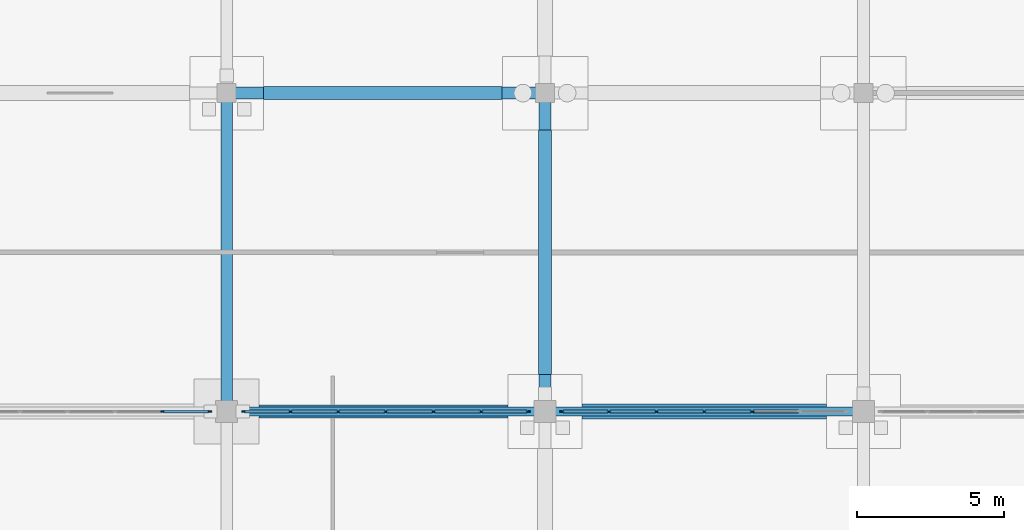
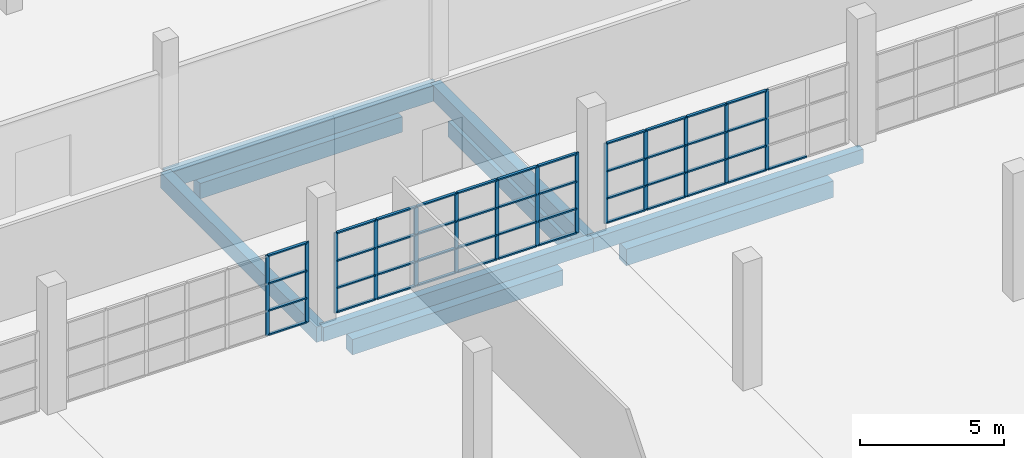
# One storey, part 56 of 138: 59 members, 9 beams, 3 elements without a shape of their own.
"""IFC4 building model written with IfcOpenShell, lengths in metres."""

from ifc_helpers import new_model, si_unit, direction, frame, origin, origin_2d, place, context, subcontext, project, spatial, rectangle, extrude, material, material_profile, profile_set, type_object, element, aggregate, save


model = new_model("IFC4")

# Units and contexts
model_context = context("Model", 3, precision=1e-05, world=origin(), true_north=direction((0.0, 1.0)))
body_context = subcontext(model_context, "Body", "Model", "MODEL_VIEW")
ifc_project = project(units=[si_unit("LENGTHUNIT", "METRE"), si_unit("AREAUNIT", "SQUARE_METRE"), si_unit("VOLUMEUNIT", "CUBIC_METRE"), si_unit("PLANEANGLEUNIT", "RADIAN"), si_unit("MASSUNIT", "GRAM", prefix="KILO")], contexts=[model_context])

# Site, building, storey
site_placement = place(None, origin())
site = spatial("IfcSite", under=ifc_project, at=site_placement, CompositionType="ELEMENT")
building_placement = place(site_placement, origin())
building = spatial("IfcBuilding", under=site, at=building_placement, Name="Zwinboog Wholesale Market", CompositionType="ELEMENT")
storey_placement = place(building_placement, origin())
storey = spatial("IfcBuildingStorey", under=building, at=storey_placement, Name="L00", CompositionType="ELEMENT", Elevation=0.0)

# Beams
ifc_material_1 = material(Name="Precast concrete C45/55", Category="concrete")
ifc_material_profile_1 = material_profile(ifc_material_1, rectangle(XDim=0.39990234375, YDim=0.64990234375, at=origin_2d()), Name="PC 400x650")
ifc_profile_set_1 = profile_set([ifc_material_profile_1], Name="Precast concrete C45/55")
beam_type_1 = type_object("IfcBeamType", Name="BT-05", PredefinedType="BEAM", material=ifc_profile_set_1)
for number, where, z_axis, x_axis, name in (
    (1, (97.199951171875, 108.0, -0.675048828125), (1.0, 0.0, 0.0), (0.0, 1.0, 0.0), "BG-05 (BMG-L00-0972-1080-0160)"),
    (2, (97.199951171875, 97.199951171875, -0.675048828125), (0.0, 1.0, 0.0), (-1.0, 0.0, 0.0), "BG-05 (BMG-L00-0972-0972-0306)"),
    (3, (108.0, 97.199951171875, -0.675048828125), (0.0, 1.0, 0.0), (-1.0, 0.0, 0.0), "BG-05 (BMG-L00-1080-0972-0316)"),
):
    element("IfcBeam", number, at=place(storey_placement, frame(where, z_axis=z_axis, x_axis=x_axis)), inside=storey, type_object=beam_type_1, Name=name, PredefinedType="BEAM", context=body_context, shape_type="SweptSolid", body=[
        extrude(rectangle(XDim=0.39990234375, YDim=0.64990234375, at=origin_2d()), origin(), (0.0, 0.0, 1.0), 10.800048828125),
    ])
ifc_material_profile_2 = material_profile(ifc_material_1, rectangle(XDim=0.300048828125, YDim=0.60009765625, at=origin_2d()), Name="PC 300x600")
ifc_profile_set_2 = profile_set([ifc_material_profile_2], Name="Precast concrete C45/55")
beam_type_2 = type_object("IfcBeamType", Name="BT-09", PredefinedType="SPANDREL", material=ifc_profile_set_2)
for number, where, z_axis, x_axis, name in (
    (4, (97.199951171875, 97.199951171875, -0.64990234375), (1.0, 0.0, 0.0), (0.0, 1.0, 0.0), "SP-02 (BMG-L00-0972-0972-0140)"),
    (5, (108.0, 97.199951171875, -0.64990234375), (1.0, 0.0, 0.0), (0.0, 1.0, 0.0), "SP-02 (BMG-L00-1080-0972-0141)"),
):
    element("IfcBeam", number, at=place(storey_placement, frame(where, z_axis=z_axis, x_axis=x_axis)), inside=storey, type_object=beam_type_2, Name=name, PredefinedType="SPANDREL", context=body_context, shape_type="SweptSolid", body=[
        extrude(rectangle(XDim=0.300048828125, YDim=0.60009765625, at=origin_2d()), origin(), (0.0, 0.0, 1.0), 10.800048828125),
    ])
ifc_material_2 = material(Name="Concrete C35/45", Category="concrete")
ifc_material_profile_3 = material_profile(ifc_material_2, rectangle(XDim=0.5, YDim=0.699951171875, at=origin_2d()), Name="RC 500x700")
ifc_profile_set_3 = profile_set([ifc_material_profile_3], Name="Concrete C35/45")
beam_type_3 = type_object("IfcBeamType", Name="BT-12", PredefinedType="USERDEFINED", material=ifc_profile_set_3)
beam_1_placement = place(storey_placement, frame((109.2548828125, 97.199951171875, -1.550048828125), z_axis=(1.0, 0.0, 0.0), x_axis=(0.0, 1.0, 0.0)))
element("IfcBeam", 6, at=beam_1_placement, inside=storey, type_object=beam_type_3, Name="GB-01 (BM-GB-0077)", ObjectType="GROUND_BEAM", PredefinedType="USERDEFINED", context=body_context, shape_type="SweptSolid", body=[
    extrude(rectangle(XDim=0.5, YDim=0.699951171875, at=origin_2d()), origin(), (0.0, 0.0, 1.0), 8.2900390625),
])
ifc_material_profile_4 = material_profile(ifc_material_2, rectangle(XDim=0.449951171875, YDim=0.64990234375, at=origin_2d()), Name="RC 450x650")
ifc_profile_set_4 = profile_set([ifc_material_profile_4], Name="Concrete C35/45")
beam_type_4 = type_object("IfcBeamType", Name="BT-13", PredefinedType="USERDEFINED", material=ifc_profile_set_4)
beam_2_placement = place(storey_placement, frame((98.304931640625, 97.199951171875, -1.52490234375), z_axis=(1.0, 0.0, 0.0), x_axis=(0.0, 1.0, 0.0)))
element("IfcBeam", 7, at=beam_2_placement, inside=storey, type_object=beam_type_4, Name="GB-02 (BM-GB-0076)", ObjectType="GROUND_BEAM", PredefinedType="USERDEFINED", context=body_context, shape_type="SweptSolid", body=[
    extrude(rectangle(XDim=0.449951171875, YDim=0.64990234375, at=origin_2d()), origin(), (0.0, 0.0, 1.0), 8.440185546875),
])
beam_3_placement = place(storey_placement, frame((98.455078125, 108.0, -1.52490234375), z_axis=(1.0, 0.0, 0.0), x_axis=(0.0, 1.0, 0.0)))
element("IfcBeam", 8, at=beam_3_placement, inside=storey, type_object=beam_type_4, Name="GB-02 (BM-GB-0096)", ObjectType="GROUND_BEAM", PredefinedType="USERDEFINED", context=body_context, shape_type="SweptSolid", body=[
    extrude(rectangle(XDim=0.449951171875, YDim=0.64990234375, at=origin_2d()), origin(), (0.0, 0.0, 1.0), 8.08984375),
])
beam_4_placement = place(storey_placement, frame((108.0, 98.455078125, -1.52490234375), z_axis=(0.0, 1.0, 0.0), x_axis=(-1.0, 0.0, 0.0)))
element("IfcBeam", 9, at=beam_4_placement, inside=storey, type_object=beam_type_4, Name="GB-02 (BM-GB-0169)", ObjectType="GROUND_BEAM", PredefinedType="USERDEFINED", context=body_context, shape_type="SweptSolid", body=[
    extrude(rectangle(XDim=0.449951171875, YDim=0.64990234375, at=origin_2d()), origin(), (0.0, 0.0, 1.0), 8.2900390625),
])

# Curtain wall, members
ifc_material_3 = material(Name="Aluminium thermally broken curtain wall", Category="aluminium")
curtain_wall_type = type_object("IfcCurtainWallType", Name="CWT-INT-STALL", PredefinedType="USERDEFINED", material=ifc_material_3)
curtain_wall_1_placement = place(storey_placement, origin())
curtain_wall_1 = element("IfcCurtainWall", 10, at=curtain_wall_1_placement, inside=storey, type_object=curtain_wall_type, Name="CW-07 (CW-STL-201)", ObjectType="STOREFRONT_GLAZING", PredefinedType="USERDEFINED")
ifc_material_4 = material(Name="Aluminium EN AW-6060", Category="aluminium")
ifc_material_profile_5 = material_profile(ifc_material_4, rectangle(XDim=0.06005859375, YDim=0.14990234375, at=origin_2d()), Name="AL 60x150")
ifc_profile_set_5 = profile_set([ifc_material_profile_5], Name="Aluminium EN AW-6060")
member_type_1 = type_object("IfcMemberType", Name="CWM-INT-60x120", PredefinedType="MULLION", material=ifc_profile_set_5)
member_1_placement = place(storey_placement, frame((95.033447265625, 97.199951171875, 0.0), z_axis=(0.0, 0.0, 1.0), x_axis=(0.0, 1.0, 0.0)))
member_1 = element("IfcMember", 11, at=member_1_placement, type_object=member_type_1, Name="CW-07 mullion 6", PredefinedType="MULLION", context=body_context, shape_type="SweptSolid", body=[
    extrude(rectangle(XDim=0.06005859375, YDim=0.14990234375, at=origin_2d()), origin(), (0.0, 0.0, 1.0), 3.39990234375),
])
member_2_placement = place(storey_placement, frame((96.6201171875, 97.199951171875, 0.0), z_axis=(0.0, 0.0, 1.0), x_axis=(0.0, 1.0, 0.0)))
member_2 = element("IfcMember", 12, at=member_2_placement, type_object=member_type_1, Name="CW-07 mullion 7", PredefinedType="MULLION", context=body_context, shape_type="SweptSolid", body=[
    extrude(rectangle(XDim=0.06005859375, YDim=0.14990234375, at=origin_2d()), origin(), (0.0, 0.0, 1.0), 3.39990234375),
])

curtain_wall_2_placement = place(storey_placement, origin())
curtain_wall_2 = element("IfcCurtainWall", 13, at=curtain_wall_2_placement, inside=storey, type_object=curtain_wall_type, Name="CW-07 (CW-STL-202)", ObjectType="STOREFRONT_GLAZING", PredefinedType="USERDEFINED")
member_3_placement = place(storey_placement, frame((97.780029296875, 97.199951171875, 0.0), z_axis=(0.0, 0.0, 1.0), x_axis=(0.0, 1.0, 0.0)))
member_3 = element("IfcMember", 14, at=member_3_placement, type_object=member_type_1, Name="CW-07 mullion 1", PredefinedType="MULLION", context=body_context, shape_type="SweptSolid", body=[
    extrude(rectangle(XDim=0.06005859375, YDim=0.14990234375, at=origin_2d()), origin(), (0.0, 0.0, 1.0), 3.39990234375),
])
member_4_placement = place(storey_placement, frame((99.36669921875, 97.199951171875, 0.0), z_axis=(0.0, 0.0, 1.0), x_axis=(0.0, 1.0, 0.0)))
member_4 = element("IfcMember", 15, at=member_4_placement, type_object=member_type_1, Name="CW-07 mullion 2", PredefinedType="MULLION", context=body_context, shape_type="SweptSolid", body=[
    extrude(rectangle(XDim=0.06005859375, YDim=0.14990234375, at=origin_2d()), origin(), (0.0, 0.0, 1.0), 3.39990234375),
])
member_5_placement = place(storey_placement, frame((100.9833984375, 97.199951171875, 0.0), z_axis=(0.0, 0.0, 1.0), x_axis=(0.0, 1.0, 0.0)))
member_5 = element("IfcMember", 16, at=member_5_placement, type_object=member_type_1, Name="CW-07 mullion 3", PredefinedType="MULLION", context=body_context, shape_type="SweptSolid", body=[
    extrude(rectangle(XDim=0.06005859375, YDim=0.14990234375, at=origin_2d()), origin(), (0.0, 0.0, 1.0), 3.39990234375),
])
member_6_placement = place(storey_placement, frame((102.60009765625, 97.199951171875, 0.0), z_axis=(0.0, 0.0, 1.0), x_axis=(0.0, 1.0, 0.0)))
member_6 = element("IfcMember", 17, at=member_6_placement, type_object=member_type_1, Name="CW-07 mullion 4", PredefinedType="MULLION", context=body_context, shape_type="SweptSolid", body=[
    extrude(rectangle(XDim=0.06005859375, YDim=0.14990234375, at=origin_2d()), origin(), (0.0, 0.0, 1.0), 3.39990234375),
])
member_7_placement = place(storey_placement, frame((104.216552734375, 97.199951171875, 0.0), z_axis=(0.0, 0.0, 1.0), x_axis=(0.0, 1.0, 0.0)))
member_7 = element("IfcMember", 18, at=member_7_placement, type_object=member_type_1, Name="CW-07 mullion 5", PredefinedType="MULLION", context=body_context, shape_type="SweptSolid", body=[
    extrude(rectangle(XDim=0.06005859375, YDim=0.14990234375, at=origin_2d()), origin(), (0.0, 0.0, 1.0), 3.39990234375),
])
member_8_placement = place(storey_placement, frame((105.833251953125, 97.199951171875, 0.0), z_axis=(0.0, 0.0, 1.0), x_axis=(0.0, 1.0, 0.0)))
member_8 = element("IfcMember", 19, at=member_8_placement, type_object=member_type_1, Name="CW-07 mullion 6", PredefinedType="MULLION", context=body_context, shape_type="SweptSolid", body=[
    extrude(rectangle(XDim=0.06005859375, YDim=0.14990234375, at=origin_2d()), origin(), (0.0, 0.0, 1.0), 3.39990234375),
])
member_9_placement = place(storey_placement, frame((107.419921875, 97.199951171875, 0.0), z_axis=(0.0, 0.0, 1.0), x_axis=(0.0, 1.0, 0.0)))
member_9 = element("IfcMember", 20, at=member_9_placement, type_object=member_type_1, Name="CW-07 mullion 7", PredefinedType="MULLION", context=body_context, shape_type="SweptSolid", body=[
    extrude(rectangle(XDim=0.06005859375, YDim=0.14990234375, at=origin_2d()), origin(), (0.0, 0.0, 1.0), 3.39990234375),
])

curtain_wall_3_placement = place(storey_placement, origin())
curtain_wall_3 = element("IfcCurtainWall", 21, at=curtain_wall_3_placement, inside=storey, type_object=curtain_wall_type, Name="CW-07 (CW-STL-203)", ObjectType="STOREFRONT_GLAZING", PredefinedType="USERDEFINED")
member_10_placement = place(storey_placement, frame((108.580078125, 97.199951171875, 0.0), z_axis=(0.0, 0.0, 1.0), x_axis=(0.0, 1.0, 0.0)))
member_10 = element("IfcMember", 22, at=member_10_placement, type_object=member_type_1, Name="CW-07 mullion 1", PredefinedType="MULLION", context=body_context, shape_type="SweptSolid", body=[
    extrude(rectangle(XDim=0.06005859375, YDim=0.14990234375, at=origin_2d()), origin(), (0.0, 0.0, 1.0), 3.39990234375),
])
member_11_placement = place(storey_placement, frame((110.166748046875, 97.199951171875, 0.0), z_axis=(0.0, 0.0, 1.0), x_axis=(0.0, 1.0, 0.0)))
member_11 = element("IfcMember", 23, at=member_11_placement, type_object=member_type_1, Name="CW-07 mullion 2", PredefinedType="MULLION", context=body_context, shape_type="SweptSolid", body=[
    extrude(rectangle(XDim=0.06005859375, YDim=0.14990234375, at=origin_2d()), origin(), (0.0, 0.0, 1.0), 3.39990234375),
])
member_12_placement = place(storey_placement, frame((111.783447265625, 97.199951171875, 0.0), z_axis=(0.0, 0.0, 1.0), x_axis=(0.0, 1.0, 0.0)))
member_12 = element("IfcMember", 24, at=member_12_placement, type_object=member_type_1, Name="CW-07 mullion 3", PredefinedType="MULLION", context=body_context, shape_type="SweptSolid", body=[
    extrude(rectangle(XDim=0.06005859375, YDim=0.14990234375, at=origin_2d()), origin(), (0.0, 0.0, 1.0), 3.39990234375),
])
member_13_placement = place(storey_placement, frame((113.39990234375, 97.199951171875, 0.0), z_axis=(0.0, 0.0, 1.0), x_axis=(0.0, 1.0, 0.0)))
member_13 = element("IfcMember", 25, at=member_13_placement, type_object=member_type_1, Name="CW-07 mullion 4", PredefinedType="MULLION", context=body_context, shape_type="SweptSolid", body=[
    extrude(rectangle(XDim=0.06005859375, YDim=0.14990234375, at=origin_2d()), origin(), (0.0, 0.0, 1.0), 3.39990234375),
])
member_14_placement = place(storey_placement, frame((115.0166015625, 97.199951171875, 0.0), z_axis=(0.0, 0.0, 1.0), x_axis=(0.0, 1.0, 0.0)))
member_14 = element("IfcMember", 26, at=member_14_placement, type_object=member_type_1, Name="CW-07 mullion 5", PredefinedType="MULLION", context=body_context, shape_type="SweptSolid", body=[
    extrude(rectangle(XDim=0.06005859375, YDim=0.14990234375, at=origin_2d()), origin(), (0.0, 0.0, 1.0), 3.39990234375),
])

# Member
ifc_material_profile_6 = material_profile(ifc_material_4, rectangle(XDim=0.110107421875, YDim=0.06005859375, at=origin_2d()), Name="AL 60x110")
ifc_profile_set_6 = profile_set([ifc_material_profile_6], Name="Aluminium EN AW-6060")
member_type_2 = type_object("IfcMemberType", Name="CWT-INT-60x100", PredefinedType="USERDEFINED", material=ifc_profile_set_6)
member_15_placement = place(storey_placement, frame((95.063232421875, 97.199951171875, 0.030029296875), z_axis=(1.0, 0.0, 0.0), x_axis=(0.0, 1.0, 0.0)))
member_15 = element("IfcMember", 27, at=member_15_placement, type_object=member_type_2, Name="CW-07 transom 6.1", ObjectType="TRANSOM", PredefinedType="USERDEFINED", context=body_context, shape_type="SweptSolid", body=[
    extrude(rectangle(XDim=0.110107421875, YDim=0.06005859375, at=origin_2d()), origin(), (0.0, 0.0, 1.0), 1.52685546875),
])

member_16_placement = place(storey_placement, frame((95.063232421875, 97.199951171875, 1.050048828125), z_axis=(1.0, 0.0, 0.0), x_axis=(0.0, 1.0, 0.0)))
member_16 = element("IfcMember", 28, at=member_16_placement, type_object=member_type_2, Name="CW-07 transom 6.2", ObjectType="TRANSOM", PredefinedType="USERDEFINED", context=body_context, shape_type="SweptSolid", body=[
    extrude(rectangle(XDim=0.110107421875, YDim=0.06005859375, at=origin_2d()), origin(), (0.0, 0.0, 1.0), 1.52685546875),
])

member_17_placement = place(storey_placement, frame((95.063232421875, 97.199951171875, 2.199951171875), z_axis=(1.0, 0.0, 0.0), x_axis=(0.0, 1.0, 0.0)))
member_17 = element("IfcMember", 29, at=member_17_placement, type_object=member_type_2, Name="CW-07 transom 6.3", ObjectType="TRANSOM", PredefinedType="USERDEFINED", context=body_context, shape_type="SweptSolid", body=[
    extrude(rectangle(XDim=0.110107421875, YDim=0.06005859375, at=origin_2d()), origin(), (0.0, 0.0, 1.0), 1.52685546875),
])

member_18_placement = place(storey_placement, frame((95.063232421875, 97.199951171875, 3.3701171875), z_axis=(1.0, 0.0, 0.0), x_axis=(0.0, 1.0, 0.0)))
member_18 = element("IfcMember", 30, at=member_18_placement, type_object=member_type_2, Name="CW-07 transom 6.4", ObjectType="TRANSOM", PredefinedType="USERDEFINED", context=body_context, shape_type="SweptSolid", body=[
    extrude(rectangle(XDim=0.110107421875, YDim=0.06005859375, at=origin_2d()), origin(), (0.0, 0.0, 1.0), 1.52685546875),
])

aggregate(curtain_wall_1, [member_1, member_2, member_15, member_16, member_17, member_18])

member_19_placement = place(storey_placement, frame((97.81005859375, 97.199951171875, 0.030029296875), z_axis=(1.0, 0.0, 0.0), x_axis=(0.0, 1.0, 0.0)))
member_19 = element("IfcMember", 31, at=member_19_placement, type_object=member_type_2, Name="CW-07 transom 1.1", ObjectType="TRANSOM", PredefinedType="USERDEFINED", context=body_context, shape_type="SweptSolid", body=[
    extrude(rectangle(XDim=0.110107421875, YDim=0.06005859375, at=origin_2d()), origin(), (0.0, 0.0, 1.0), 1.526611328125),
])

member_20_placement = place(storey_placement, frame((97.81005859375, 97.199951171875, 1.050048828125), z_axis=(1.0, 0.0, 0.0), x_axis=(0.0, 1.0, 0.0)))
member_20 = element("IfcMember", 32, at=member_20_placement, type_object=member_type_2, Name="CW-07 transom 1.2", ObjectType="TRANSOM", PredefinedType="USERDEFINED", context=body_context, shape_type="SweptSolid", body=[
    extrude(rectangle(XDim=0.110107421875, YDim=0.06005859375, at=origin_2d()), origin(), (0.0, 0.0, 1.0), 1.526611328125),
])

member_21_placement = place(storey_placement, frame((97.81005859375, 97.199951171875, 2.199951171875), z_axis=(1.0, 0.0, 0.0), x_axis=(0.0, 1.0, 0.0)))
member_21 = element("IfcMember", 33, at=member_21_placement, type_object=member_type_2, Name="CW-07 transom 1.3", ObjectType="TRANSOM", PredefinedType="USERDEFINED", context=body_context, shape_type="SweptSolid", body=[
    extrude(rectangle(XDim=0.110107421875, YDim=0.06005859375, at=origin_2d()), origin(), (0.0, 0.0, 1.0), 1.526611328125),
])

member_22_placement = place(storey_placement, frame((97.81005859375, 97.199951171875, 3.3701171875), z_axis=(1.0, 0.0, 0.0), x_axis=(0.0, 1.0, 0.0)))
member_22 = element("IfcMember", 34, at=member_22_placement, type_object=member_type_2, Name="CW-07 transom 1.4", ObjectType="TRANSOM", PredefinedType="USERDEFINED", context=body_context, shape_type="SweptSolid", body=[
    extrude(rectangle(XDim=0.110107421875, YDim=0.06005859375, at=origin_2d()), origin(), (0.0, 0.0, 1.0), 1.526611328125),
])

member_23_placement = place(storey_placement, frame((99.396728515625, 97.199951171875, 0.030029296875), z_axis=(1.0, 0.0, 0.0), x_axis=(0.0, 1.0, 0.0)))
member_23 = element("IfcMember", 35, at=member_23_placement, type_object=member_type_2, Name="CW-07 transom 2.1", ObjectType="TRANSOM", PredefinedType="USERDEFINED", context=body_context, shape_type="SweptSolid", body=[
    extrude(rectangle(XDim=0.110107421875, YDim=0.06005859375, at=origin_2d()), origin(), (0.0, 0.0, 1.0), 1.556640625),
])

member_24_placement = place(storey_placement, frame((99.396728515625, 97.199951171875, 1.050048828125), z_axis=(1.0, 0.0, 0.0), x_axis=(0.0, 1.0, 0.0)))
member_24 = element("IfcMember", 36, at=member_24_placement, type_object=member_type_2, Name="CW-07 transom 2.2", ObjectType="TRANSOM", PredefinedType="USERDEFINED", context=body_context, shape_type="SweptSolid", body=[
    extrude(rectangle(XDim=0.110107421875, YDim=0.06005859375, at=origin_2d()), origin(), (0.0, 0.0, 1.0), 1.556640625),
])

member_25_placement = place(storey_placement, frame((99.396728515625, 97.199951171875, 2.199951171875), z_axis=(1.0, 0.0, 0.0), x_axis=(0.0, 1.0, 0.0)))
member_25 = element("IfcMember", 37, at=member_25_placement, type_object=member_type_2, Name="CW-07 transom 2.3", ObjectType="TRANSOM", PredefinedType="USERDEFINED", context=body_context, shape_type="SweptSolid", body=[
    extrude(rectangle(XDim=0.110107421875, YDim=0.06005859375, at=origin_2d()), origin(), (0.0, 0.0, 1.0), 1.556640625),
])

member_26_placement = place(storey_placement, frame((99.396728515625, 97.199951171875, 3.3701171875), z_axis=(1.0, 0.0, 0.0), x_axis=(0.0, 1.0, 0.0)))
member_26 = element("IfcMember", 38, at=member_26_placement, type_object=member_type_2, Name="CW-07 transom 2.4", ObjectType="TRANSOM", PredefinedType="USERDEFINED", context=body_context, shape_type="SweptSolid", body=[
    extrude(rectangle(XDim=0.110107421875, YDim=0.06005859375, at=origin_2d()), origin(), (0.0, 0.0, 1.0), 1.556640625),
])

member_27_placement = place(storey_placement, frame((101.013427734375, 97.199951171875, 0.030029296875), z_axis=(1.0, 0.0, 0.0), x_axis=(0.0, 1.0, 0.0)))
member_27 = element("IfcMember", 39, at=member_27_placement, type_object=member_type_2, Name="CW-07 transom 3.1", ObjectType="TRANSOM", PredefinedType="USERDEFINED", context=body_context, shape_type="SweptSolid", body=[
    extrude(rectangle(XDim=0.110107421875, YDim=0.06005859375, at=origin_2d()), origin(), (0.0, 0.0, 1.0), 1.556640625),
])

member_28_placement = place(storey_placement, frame((101.013427734375, 97.199951171875, 1.050048828125), z_axis=(1.0, 0.0, 0.0), x_axis=(0.0, 1.0, 0.0)))
member_28 = element("IfcMember", 40, at=member_28_placement, type_object=member_type_2, Name="CW-07 transom 3.2", ObjectType="TRANSOM", PredefinedType="USERDEFINED", context=body_context, shape_type="SweptSolid", body=[
    extrude(rectangle(XDim=0.110107421875, YDim=0.06005859375, at=origin_2d()), origin(), (0.0, 0.0, 1.0), 1.556640625),
])

member_29_placement = place(storey_placement, frame((101.013427734375, 97.199951171875, 2.199951171875), z_axis=(1.0, 0.0, 0.0), x_axis=(0.0, 1.0, 0.0)))
member_29 = element("IfcMember", 41, at=member_29_placement, type_object=member_type_2, Name="CW-07 transom 3.3", ObjectType="TRANSOM", PredefinedType="USERDEFINED", context=body_context, shape_type="SweptSolid", body=[
    extrude(rectangle(XDim=0.110107421875, YDim=0.06005859375, at=origin_2d()), origin(), (0.0, 0.0, 1.0), 1.556640625),
])

member_30_placement = place(storey_placement, frame((101.013427734375, 97.199951171875, 3.3701171875), z_axis=(1.0, 0.0, 0.0), x_axis=(0.0, 1.0, 0.0)))
member_30 = element("IfcMember", 42, at=member_30_placement, type_object=member_type_2, Name="CW-07 transom 3.4", ObjectType="TRANSOM", PredefinedType="USERDEFINED", context=body_context, shape_type="SweptSolid", body=[
    extrude(rectangle(XDim=0.110107421875, YDim=0.06005859375, at=origin_2d()), origin(), (0.0, 0.0, 1.0), 1.556640625),
])

member_31_placement = place(storey_placement, frame((102.6298828125, 97.199951171875, 0.030029296875), z_axis=(1.0, 0.0, 0.0), x_axis=(0.0, 1.0, 0.0)))
member_31 = element("IfcMember", 43, at=member_31_placement, type_object=member_type_2, Name="CW-07 transom 4.1", ObjectType="TRANSOM", PredefinedType="USERDEFINED", context=body_context, shape_type="SweptSolid", body=[
    extrude(rectangle(XDim=0.110107421875, YDim=0.06005859375, at=origin_2d()), origin(), (0.0, 0.0, 1.0), 1.556884765625),
])

member_32_placement = place(storey_placement, frame((102.6298828125, 97.199951171875, 1.050048828125), z_axis=(1.0, 0.0, 0.0), x_axis=(0.0, 1.0, 0.0)))
member_32 = element("IfcMember", 44, at=member_32_placement, type_object=member_type_2, Name="CW-07 transom 4.2", ObjectType="TRANSOM", PredefinedType="USERDEFINED", context=body_context, shape_type="SweptSolid", body=[
    extrude(rectangle(XDim=0.110107421875, YDim=0.06005859375, at=origin_2d()), origin(), (0.0, 0.0, 1.0), 1.556884765625),
])

member_33_placement = place(storey_placement, frame((102.6298828125, 97.199951171875, 2.199951171875), z_axis=(1.0, 0.0, 0.0), x_axis=(0.0, 1.0, 0.0)))
member_33 = element("IfcMember", 45, at=member_33_placement, type_object=member_type_2, Name="CW-07 transom 4.3", ObjectType="TRANSOM", PredefinedType="USERDEFINED", context=body_context, shape_type="SweptSolid", body=[
    extrude(rectangle(XDim=0.110107421875, YDim=0.06005859375, at=origin_2d()), origin(), (0.0, 0.0, 1.0), 1.556884765625),
])

member_34_placement = place(storey_placement, frame((102.6298828125, 97.199951171875, 3.3701171875), z_axis=(1.0, 0.0, 0.0), x_axis=(0.0, 1.0, 0.0)))
member_34 = element("IfcMember", 46, at=member_34_placement, type_object=member_type_2, Name="CW-07 transom 4.4", ObjectType="TRANSOM", PredefinedType="USERDEFINED", context=body_context, shape_type="SweptSolid", body=[
    extrude(rectangle(XDim=0.110107421875, YDim=0.06005859375, at=origin_2d()), origin(), (0.0, 0.0, 1.0), 1.556884765625),
])

member_35_placement = place(storey_placement, frame((104.24658203125, 97.199951171875, 0.030029296875), z_axis=(1.0, 0.0, 0.0), x_axis=(0.0, 1.0, 0.0)))
member_35 = element("IfcMember", 47, at=member_35_placement, type_object=member_type_2, Name="CW-07 transom 5.1", ObjectType="TRANSOM", PredefinedType="USERDEFINED", context=body_context, shape_type="SweptSolid", body=[
    extrude(rectangle(XDim=0.110107421875, YDim=0.06005859375, at=origin_2d()), origin(), (0.0, 0.0, 1.0), 1.556640625),
])

member_36_placement = place(storey_placement, frame((104.24658203125, 97.199951171875, 1.050048828125), z_axis=(1.0, 0.0, 0.0), x_axis=(0.0, 1.0, 0.0)))
member_36 = element("IfcMember", 48, at=member_36_placement, type_object=member_type_2, Name="CW-07 transom 5.2", ObjectType="TRANSOM", PredefinedType="USERDEFINED", context=body_context, shape_type="SweptSolid", body=[
    extrude(rectangle(XDim=0.110107421875, YDim=0.06005859375, at=origin_2d()), origin(), (0.0, 0.0, 1.0), 1.556640625),
])

member_37_placement = place(storey_placement, frame((104.24658203125, 97.199951171875, 2.199951171875), z_axis=(1.0, 0.0, 0.0), x_axis=(0.0, 1.0, 0.0)))
member_37 = element("IfcMember", 49, at=member_37_placement, type_object=member_type_2, Name="CW-07 transom 5.3", ObjectType="TRANSOM", PredefinedType="USERDEFINED", context=body_context, shape_type="SweptSolid", body=[
    extrude(rectangle(XDim=0.110107421875, YDim=0.06005859375, at=origin_2d()), origin(), (0.0, 0.0, 1.0), 1.556640625),
])

member_38_placement = place(storey_placement, frame((104.24658203125, 97.199951171875, 3.3701171875), z_axis=(1.0, 0.0, 0.0), x_axis=(0.0, 1.0, 0.0)))
member_38 = element("IfcMember", 50, at=member_38_placement, type_object=member_type_2, Name="CW-07 transom 5.4", ObjectType="TRANSOM", PredefinedType="USERDEFINED", context=body_context, shape_type="SweptSolid", body=[
    extrude(rectangle(XDim=0.110107421875, YDim=0.06005859375, at=origin_2d()), origin(), (0.0, 0.0, 1.0), 1.556640625),
])

member_39_placement = place(storey_placement, frame((105.86328125, 97.199951171875, 0.030029296875), z_axis=(1.0, 0.0, 0.0), x_axis=(0.0, 1.0, 0.0)))
member_39 = element("IfcMember", 51, at=member_39_placement, type_object=member_type_2, Name="CW-07 transom 6.1", ObjectType="TRANSOM", PredefinedType="USERDEFINED", context=body_context, shape_type="SweptSolid", body=[
    extrude(rectangle(XDim=0.110107421875, YDim=0.06005859375, at=origin_2d()), origin(), (0.0, 0.0, 1.0), 1.526611328125),
])

member_40_placement = place(storey_placement, frame((105.86328125, 97.199951171875, 1.050048828125), z_axis=(1.0, 0.0, 0.0), x_axis=(0.0, 1.0, 0.0)))
member_40 = element("IfcMember", 52, at=member_40_placement, type_object=member_type_2, Name="CW-07 transom 6.2", ObjectType="TRANSOM", PredefinedType="USERDEFINED", context=body_context, shape_type="SweptSolid", body=[
    extrude(rectangle(XDim=0.110107421875, YDim=0.06005859375, at=origin_2d()), origin(), (0.0, 0.0, 1.0), 1.526611328125),
])

member_41_placement = place(storey_placement, frame((105.86328125, 97.199951171875, 2.199951171875), z_axis=(1.0, 0.0, 0.0), x_axis=(0.0, 1.0, 0.0)))
member_41 = element("IfcMember", 53, at=member_41_placement, type_object=member_type_2, Name="CW-07 transom 6.3", ObjectType="TRANSOM", PredefinedType="USERDEFINED", context=body_context, shape_type="SweptSolid", body=[
    extrude(rectangle(XDim=0.110107421875, YDim=0.06005859375, at=origin_2d()), origin(), (0.0, 0.0, 1.0), 1.526611328125),
])

member_42_placement = place(storey_placement, frame((105.86328125, 97.199951171875, 3.3701171875), z_axis=(1.0, 0.0, 0.0), x_axis=(0.0, 1.0, 0.0)))
member_42 = element("IfcMember", 54, at=member_42_placement, type_object=member_type_2, Name="CW-07 transom 6.4", ObjectType="TRANSOM", PredefinedType="USERDEFINED", context=body_context, shape_type="SweptSolid", body=[
    extrude(rectangle(XDim=0.110107421875, YDim=0.06005859375, at=origin_2d()), origin(), (0.0, 0.0, 1.0), 1.526611328125),
])

aggregate(curtain_wall_2, [member_3, member_4, member_5, member_6, member_7, member_8, member_9, member_19, member_20, member_21, member_22, member_23, member_24, member_25, member_26, member_27, member_28, member_29, member_30, member_31, member_32, member_33, member_34, member_35, member_36, member_37, member_38, member_39, member_40, member_41, member_42])

member_43_placement = place(storey_placement, frame((108.610107421875, 97.199951171875, 0.030029296875), z_axis=(1.0, 0.0, 0.0), x_axis=(0.0, 1.0, 0.0)))
member_43 = element("IfcMember", 55, at=member_43_placement, type_object=member_type_2, Name="CW-07 transom 1.1", ObjectType="TRANSOM", PredefinedType="USERDEFINED", context=body_context, shape_type="SweptSolid", body=[
    extrude(rectangle(XDim=0.110107421875, YDim=0.06005859375, at=origin_2d()), origin(), (0.0, 0.0, 1.0), 1.526611328125),
])

member_44_placement = place(storey_placement, frame((108.610107421875, 97.199951171875, 1.050048828125), z_axis=(1.0, 0.0, 0.0), x_axis=(0.0, 1.0, 0.0)))
member_44 = element("IfcMember", 56, at=member_44_placement, type_object=member_type_2, Name="CW-07 transom 1.2", ObjectType="TRANSOM", PredefinedType="USERDEFINED", context=body_context, shape_type="SweptSolid", body=[
    extrude(rectangle(XDim=0.110107421875, YDim=0.06005859375, at=origin_2d()), origin(), (0.0, 0.0, 1.0), 1.526611328125),
])

member_45_placement = place(storey_placement, frame((108.610107421875, 97.199951171875, 2.199951171875), z_axis=(1.0, 0.0, 0.0), x_axis=(0.0, 1.0, 0.0)))
member_45 = element("IfcMember", 57, at=member_45_placement, type_object=member_type_2, Name="CW-07 transom 1.3", ObjectType="TRANSOM", PredefinedType="USERDEFINED", context=body_context, shape_type="SweptSolid", body=[
    extrude(rectangle(XDim=0.110107421875, YDim=0.06005859375, at=origin_2d()), origin(), (0.0, 0.0, 1.0), 1.526611328125),
])

member_46_placement = place(storey_placement, frame((108.610107421875, 97.199951171875, 3.3701171875), z_axis=(1.0, 0.0, 0.0), x_axis=(0.0, 1.0, 0.0)))
member_46 = element("IfcMember", 58, at=member_46_placement, type_object=member_type_2, Name="CW-07 transom 1.4", ObjectType="TRANSOM", PredefinedType="USERDEFINED", context=body_context, shape_type="SweptSolid", body=[
    extrude(rectangle(XDim=0.110107421875, YDim=0.06005859375, at=origin_2d()), origin(), (0.0, 0.0, 1.0), 1.526611328125),
])

member_47_placement = place(storey_placement, frame((110.19677734375, 97.199951171875, 0.030029296875), z_axis=(1.0, 0.0, 0.0), x_axis=(0.0, 1.0, 0.0)))
member_47 = element("IfcMember", 59, at=member_47_placement, type_object=member_type_2, Name="CW-07 transom 2.1", ObjectType="TRANSOM", PredefinedType="USERDEFINED", context=body_context, shape_type="SweptSolid", body=[
    extrude(rectangle(XDim=0.110107421875, YDim=0.06005859375, at=origin_2d()), origin(), (0.0, 0.0, 1.0), 1.556640625),
])

member_48_placement = place(storey_placement, frame((110.19677734375, 97.199951171875, 1.050048828125), z_axis=(1.0, 0.0, 0.0), x_axis=(0.0, 1.0, 0.0)))
member_48 = element("IfcMember", 60, at=member_48_placement, type_object=member_type_2, Name="CW-07 transom 2.2", ObjectType="TRANSOM", PredefinedType="USERDEFINED", context=body_context, shape_type="SweptSolid", body=[
    extrude(rectangle(XDim=0.110107421875, YDim=0.06005859375, at=origin_2d()), origin(), (0.0, 0.0, 1.0), 1.556640625),
])

member_49_placement = place(storey_placement, frame((110.19677734375, 97.199951171875, 2.199951171875), z_axis=(1.0, 0.0, 0.0), x_axis=(0.0, 1.0, 0.0)))
member_49 = element("IfcMember", 61, at=member_49_placement, type_object=member_type_2, Name="CW-07 transom 2.3", ObjectType="TRANSOM", PredefinedType="USERDEFINED", context=body_context, shape_type="SweptSolid", body=[
    extrude(rectangle(XDim=0.110107421875, YDim=0.06005859375, at=origin_2d()), origin(), (0.0, 0.0, 1.0), 1.556640625),
])

member_50_placement = place(storey_placement, frame((110.19677734375, 97.199951171875, 3.3701171875), z_axis=(1.0, 0.0, 0.0), x_axis=(0.0, 1.0, 0.0)))
member_50 = element("IfcMember", 62, at=member_50_placement, type_object=member_type_2, Name="CW-07 transom 2.4", ObjectType="TRANSOM", PredefinedType="USERDEFINED", context=body_context, shape_type="SweptSolid", body=[
    extrude(rectangle(XDim=0.110107421875, YDim=0.06005859375, at=origin_2d()), origin(), (0.0, 0.0, 1.0), 1.556640625),
])

member_51_placement = place(storey_placement, frame((111.813232421875, 97.199951171875, 0.030029296875), z_axis=(1.0, 0.0, 0.0), x_axis=(0.0, 1.0, 0.0)))
member_51 = element("IfcMember", 63, at=member_51_placement, type_object=member_type_2, Name="CW-07 transom 3.1", ObjectType="TRANSOM", PredefinedType="USERDEFINED", context=body_context, shape_type="SweptSolid", body=[
    extrude(rectangle(XDim=0.110107421875, YDim=0.06005859375, at=origin_2d()), origin(), (0.0, 0.0, 1.0), 1.556884765625),
])

member_52_placement = place(storey_placement, frame((111.813232421875, 97.199951171875, 1.050048828125), z_axis=(1.0, 0.0, 0.0), x_axis=(0.0, 1.0, 0.0)))
member_52 = element("IfcMember", 64, at=member_52_placement, type_object=member_type_2, Name="CW-07 transom 3.2", ObjectType="TRANSOM", PredefinedType="USERDEFINED", context=body_context, shape_type="SweptSolid", body=[
    extrude(rectangle(XDim=0.110107421875, YDim=0.06005859375, at=origin_2d()), origin(), (0.0, 0.0, 1.0), 1.556884765625),
])

member_53_placement = place(storey_placement, frame((111.813232421875, 97.199951171875, 2.199951171875), z_axis=(1.0, 0.0, 0.0), x_axis=(0.0, 1.0, 0.0)))
member_53 = element("IfcMember", 65, at=member_53_placement, type_object=member_type_2, Name="CW-07 transom 3.3", ObjectType="TRANSOM", PredefinedType="USERDEFINED", context=body_context, shape_type="SweptSolid", body=[
    extrude(rectangle(XDim=0.110107421875, YDim=0.06005859375, at=origin_2d()), origin(), (0.0, 0.0, 1.0), 1.556884765625),
])

member_54_placement = place(storey_placement, frame((111.813232421875, 97.199951171875, 3.3701171875), z_axis=(1.0, 0.0, 0.0), x_axis=(0.0, 1.0, 0.0)))
member_54 = element("IfcMember", 66, at=member_54_placement, type_object=member_type_2, Name="CW-07 transom 3.4", ObjectType="TRANSOM", PredefinedType="USERDEFINED", context=body_context, shape_type="SweptSolid", body=[
    extrude(rectangle(XDim=0.110107421875, YDim=0.06005859375, at=origin_2d()), origin(), (0.0, 0.0, 1.0), 1.556884765625),
])

member_55_placement = place(storey_placement, frame((113.429931640625, 97.199951171875, 0.030029296875), z_axis=(1.0, 0.0, 0.0), x_axis=(0.0, 1.0, 0.0)))
member_55 = element("IfcMember", 67, at=member_55_placement, type_object=member_type_2, Name="CW-07 transom 4.1", ObjectType="TRANSOM", PredefinedType="USERDEFINED", context=body_context, shape_type="SweptSolid", body=[
    extrude(rectangle(XDim=0.110107421875, YDim=0.06005859375, at=origin_2d()), origin(), (0.0, 0.0, 1.0), 1.556640625),
])

member_56_placement = place(storey_placement, frame((113.429931640625, 97.199951171875, 1.050048828125), z_axis=(1.0, 0.0, 0.0), x_axis=(0.0, 1.0, 0.0)))
member_56 = element("IfcMember", 68, at=member_56_placement, type_object=member_type_2, Name="CW-07 transom 4.2", ObjectType="TRANSOM", PredefinedType="USERDEFINED", context=body_context, shape_type="SweptSolid", body=[
    extrude(rectangle(XDim=0.110107421875, YDim=0.06005859375, at=origin_2d()), origin(), (0.0, 0.0, 1.0), 1.556640625),
])

member_57_placement = place(storey_placement, frame((113.429931640625, 97.199951171875, 2.199951171875), z_axis=(1.0, 0.0, 0.0), x_axis=(0.0, 1.0, 0.0)))
member_57 = element("IfcMember", 69, at=member_57_placement, type_object=member_type_2, Name="CW-07 transom 4.3", ObjectType="TRANSOM", PredefinedType="USERDEFINED", context=body_context, shape_type="SweptSolid", body=[
    extrude(rectangle(XDim=0.110107421875, YDim=0.06005859375, at=origin_2d()), origin(), (0.0, 0.0, 1.0), 1.556640625),
])

member_58_placement = place(storey_placement, frame((113.429931640625, 97.199951171875, 3.3701171875), z_axis=(1.0, 0.0, 0.0), x_axis=(0.0, 1.0, 0.0)))
member_58 = element("IfcMember", 70, at=member_58_placement, type_object=member_type_2, Name="CW-07 transom 4.4", ObjectType="TRANSOM", PredefinedType="USERDEFINED", context=body_context, shape_type="SweptSolid", body=[
    extrude(rectangle(XDim=0.110107421875, YDim=0.06005859375, at=origin_2d()), origin(), (0.0, 0.0, 1.0), 1.556640625),
])

member_59_placement = place(storey_placement, frame((115.046630859375, 97.199951171875, 0.030029296875), z_axis=(1.0, 0.0, 0.0), x_axis=(0.0, 1.0, 0.0)))
member_59 = element("IfcMember", 71, at=member_59_placement, type_object=member_type_2, Name="CW-07 transom 5.1", ObjectType="TRANSOM", PredefinedType="USERDEFINED", context=body_context, shape_type="SweptSolid", body=[
    extrude(rectangle(XDim=0.110107421875, YDim=0.06005859375, at=origin_2d()), origin(), (0.0, 0.0, 1.0), 1.556640625),
])

aggregate(curtain_wall_3, [member_10, member_11, member_12, member_13, member_14, member_43, member_44, member_45, member_46, member_47, member_48, member_49, member_50, member_51, member_52, member_53, member_54, member_55, member_56, member_57, member_58, member_59])

save(model, "model.ifc")
